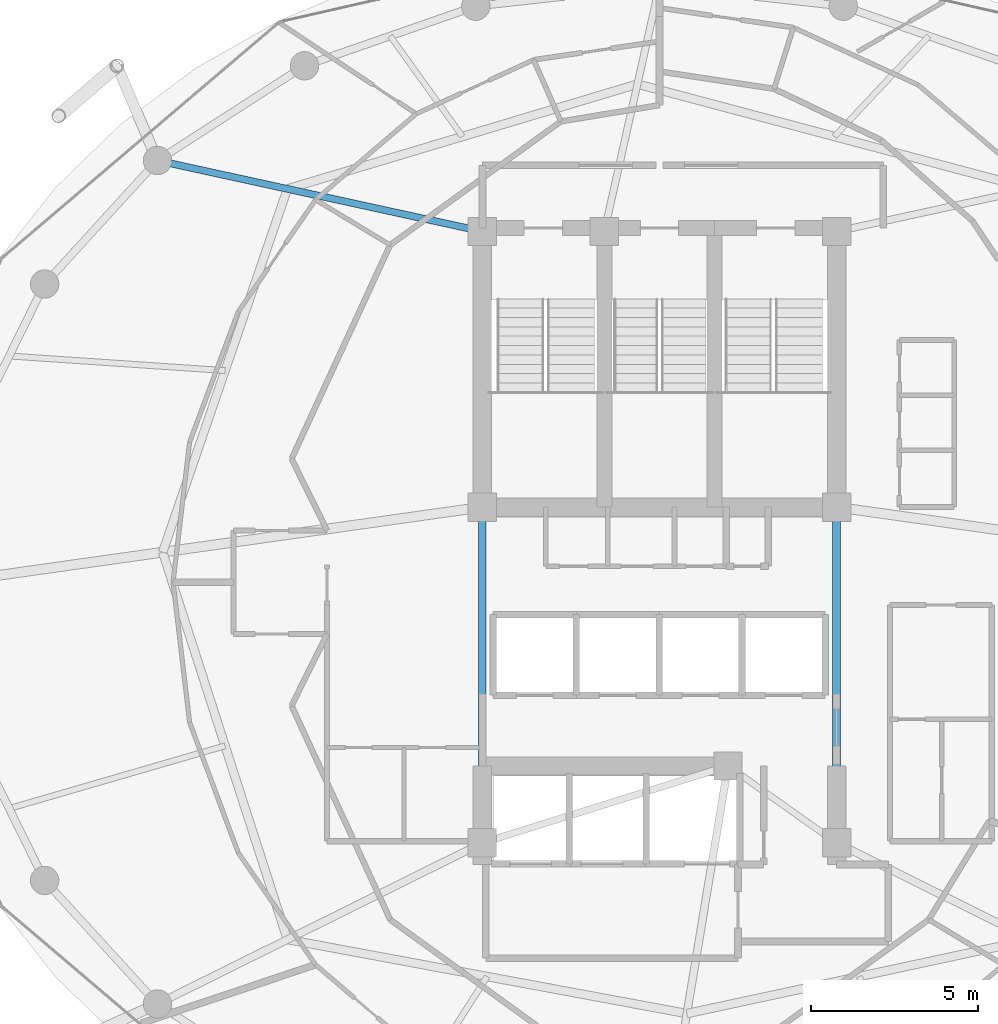
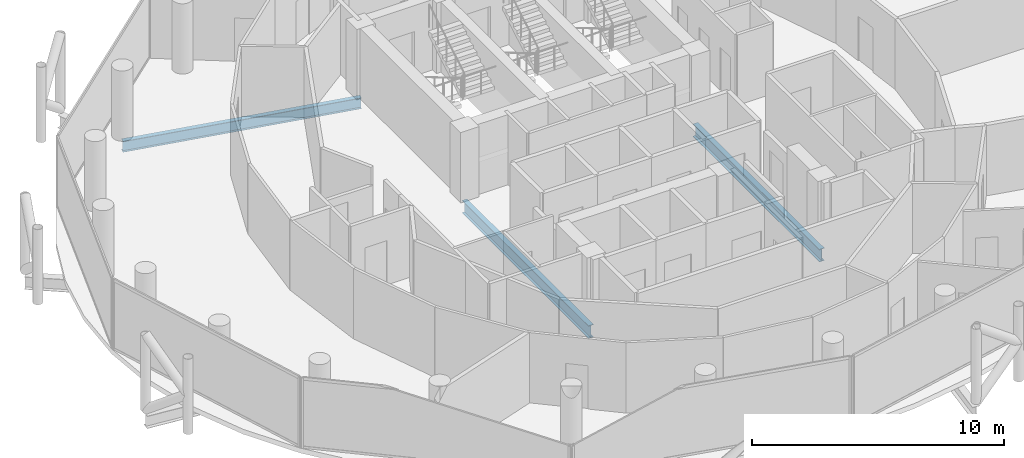
# One storey, part 10 of 27: 3 beams.
"""IFC4 building model written with IfcOpenShell, lengths in metres."""

from ifc_helpers import new_model, si_unit, direction, frame, origin, origin_2d, place, context, subcontext, project, spatial, i_section, extrude, material, material_profile, profile_set, type_object, element, save


model = new_model("IFC4")

# Units and contexts
model_context = context("Model", 3, precision=1e-05, world=origin(), true_north=direction((0.0, 1.0)))
body_context = subcontext(model_context, "Body", "Model", "MODEL_VIEW")
ifc_project = project(units=[si_unit("LENGTHUNIT", "METRE"), si_unit("AREAUNIT", "SQUARE_METRE"), si_unit("VOLUMEUNIT", "CUBIC_METRE"), si_unit("PLANEANGLEUNIT", "RADIAN"), si_unit("MASSUNIT", "GRAM", prefix="KILO")], contexts=[model_context])

# Site, building, storey
site_placement = place(None, origin())
site = spatial("IfcSite", under=ifc_project, at=site_placement, CompositionType="ELEMENT")
building_placement = place(site_placement, origin())
building = spatial("IfcBuilding", under=site, at=building_placement, Name="Nuhasar Tower", CompositionType="ELEMENT")
storey_placement = place(building_placement, frame((0.0, 0.0, 233.699951171875)))
storey = spatial("IfcBuildingStorey", under=building, at=storey_placement, Name="L57", CompositionType="ELEMENT", Elevation=233.699951171875)

# Beams
ifc_material = material(Name="Steel S355", Category="steel")
ifc_material_profile_1 = material_profile(ifc_material, i_section(OverallWidth=0.208984375, OverallDepth=0.528076171875, WebThickness=0.009521484375, FlangeThickness=0.01318359375, at=origin_2d()), Name="W21X55")
ifc_profile_set_1 = profile_set([ifc_material_profile_1], Name="Steel S355")
beam_type_1 = type_object("IfcBeamType", Name="BM-RAD-W21X55", PredefinedType="BEAM", material=ifc_profile_set_1)
beam_placement = place(storey_placement, frame((33.699951171875, 37.300048828125, -0.50390625), z_axis=(-0.977014275474, 0.213173885644, 0.0), x_axis=(-0.213173885644, -0.977014275474, 0.0)))
element("IfcBeam", 1, at=beam_placement, inside=storey, type_object=beam_type_1, Name="L57 Radial Floor Girder 07", PredefinedType="BEAM", context=body_context, shape_type="SweptSolid", body=[
    extrude(i_section(OverallWidth=0.208984375, OverallDepth=0.528076171875, WebThickness=0.009521484375, FlangeThickness=0.01318359375, at=origin_2d()), origin(), (0.0, 0.0, 1.0), 9.95458984375),
])
ifc_material_profile_2 = material_profile(ifc_material, i_section(OverallWidth=0.22900390625, OverallDepth=0.612060546875, WebThickness=0.011962890625, FlangeThickness=0.01953125, at=origin_2d()), Name="W24X84")
ifc_profile_set_2 = profile_set([ifc_material_profile_2], Name="Steel S355")
beam_type_2 = type_object("IfcBeamType", Name="BM-RAD-W24X84", PredefinedType="BEAM", material=ifc_profile_set_2)
for number, where, z_axis, x_axis, name in (
    (2, (44.300048828125, 19.0, -0.5458984375), (0.0, 1.0, 0.0), (-1.0, 0.0, 0.0), "L57 Core Ring Girder 3"),
    (3, (33.699951171875, 29.050048828125, -0.5458984375), (0.0, -1.0, 0.0), (1.0, 0.0, 0.0), "L57 Core Ring Girder 8"),
):
    element("IfcBeam", number, at=place(storey_placement, frame(where, z_axis=z_axis, x_axis=x_axis)), inside=storey, type_object=beam_type_2, Name=name, PredefinedType="BEAM", context=body_context, shape_type="SweptSolid", body=[
        extrude(i_section(OverallWidth=0.22900390625, OverallDepth=0.612060546875, WebThickness=0.011962890625, FlangeThickness=0.01953125, at=origin_2d()), origin(), (0.0, 0.0, 1.0), 10.050048828125),
    ])

save(model, "model.ifc")
